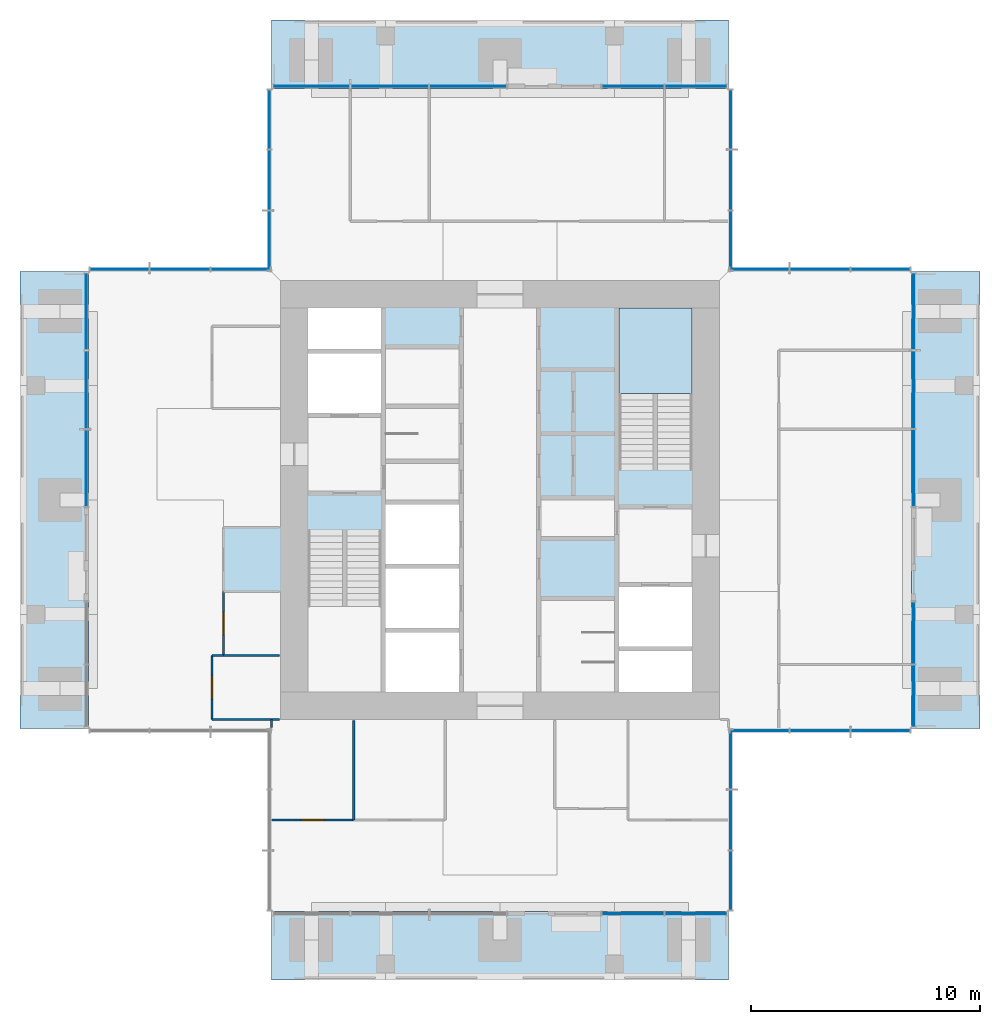
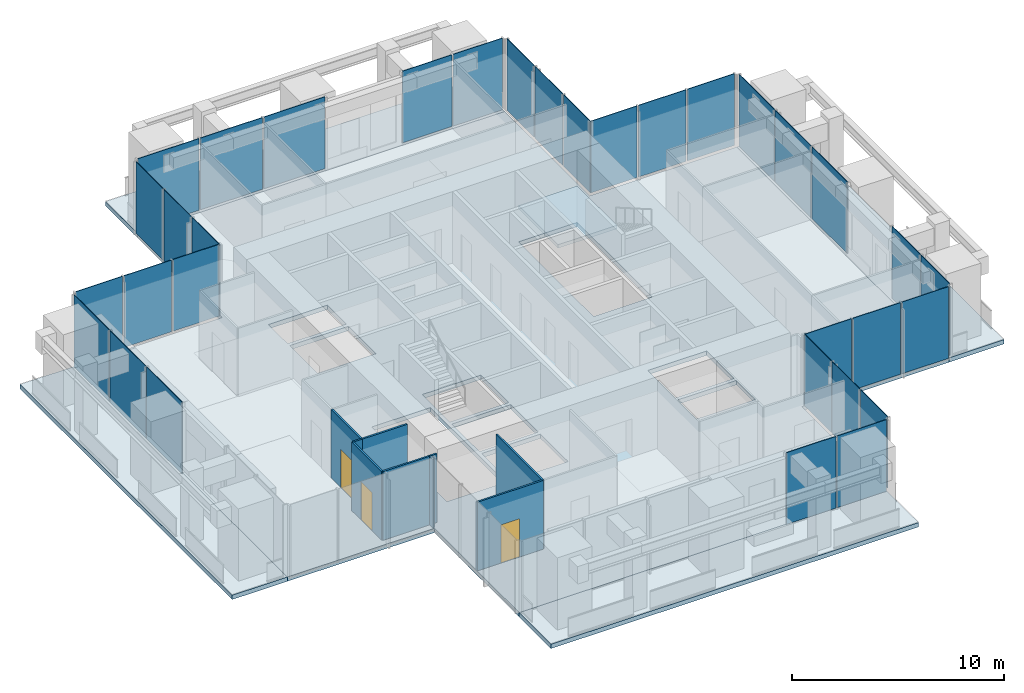
# One storey, part 6 of 12: 33 plates, 9 walls, 6 slabs, 3 doors, 3 openings, 13 elements without a shape of their own.
"""IFC4 building model written with IfcOpenShell, lengths in metres."""

from ifc_helpers import new_model, si_unit, direction, frame, frame_2d, origin, origin_2d, place, context, subcontext, project, spatial, polyline, rectangle, outline, extrude, material, layer, layer_set, type_object, element, fill, aggregate, save


model = new_model("IFC4")

# Units and contexts
model_context = context("Model", 3, precision=1e-05, world=origin(), true_north=direction((0.0, 1.0)))
body_context = subcontext(model_context, "Body", "Model", "MODEL_VIEW")
ifc_project = project(units=[si_unit("LENGTHUNIT", "METRE"), si_unit("AREAUNIT", "SQUARE_METRE"), si_unit("VOLUMEUNIT", "CUBIC_METRE"), si_unit("PLANEANGLEUNIT", "RADIAN"), si_unit("MASSUNIT", "GRAM", prefix="KILO")], contexts=[model_context])

# Site, building, storey
site_placement = place(None, origin())
site = spatial("IfcSite", under=ifc_project, at=site_placement, CompositionType="ELEMENT")
building_placement = place(site_placement, origin())
building = spatial("IfcBuilding", under=site, at=building_placement, Name="Svetlomir Tower", CompositionType="ELEMENT")
storey_placement = place(building_placement, frame((0.0, 0.0, 252.39990234375)))
storey = spatial("IfcBuildingStorey", under=building, at=storey_placement, Name="L60", CompositionType="ELEMENT", Elevation=252.39990234375)

# Curtain wall, plates
ifc_material_1 = material(Name="Bronze anodised aluminium curtain wall", Category="aluminium")
curtain_wall_type = type_object("IfcCurtainWallType", Name="CURTAIN WALL CW4 EXECUTIVE", PredefinedType="NOTDEFINED", material=ifc_material_1)
curtain_wall_1_placement = place(storey_placement, origin())
curtain_wall_1 = element("IfcCurtainWall", 1, at=curtain_wall_1_placement, inside=storey, type_object=curtain_wall_type, Name="Curtain wall CW4 L60", PredefinedType="NOTDEFINED")
ifc_material_2 = material(Name="Tinted double glazed unit", Category="glass")
ifc_layer_1 = layer(ifc_material_2, 0.035888671875)
ifc_layer_set_1 = layer_set([ifc_layer_1], Name="Tinted double glazed unit")
plate_type = type_object("IfcPlateType", Name="CW4 GLAZED PANEL 36", PredefinedType="CURTAIN_PANEL", material=ifc_layer_set_1)
plate_1_placement = place(storey_placement, frame((26.81884765625, 2.89990234375, 0.0751953125), z_axis=(0.0, 0.0, 1.0), x_axis=(1.0, 0.0, 0.0)))
plate_1 = element("IfcPlate", 2, at=plate_1_placement, type_object=plate_type, Name="CW4 panel 1.1", PredefinedType="CURTAIN_PANEL", context=body_context, shape_type="SweptSolid", body=[
    extrude(rectangle(XDim=2.6875, YDim=0.035888671875, at=origin_2d()), origin(), (0.0, 0.0, 1.0), 4.125),
])
plate_2_placement = place(storey_placement, frame((29.581298828125, 2.89990234375, 0.0751953125), z_axis=(0.0, 0.0, 1.0), x_axis=(1.0, 0.0, 0.0)))
plate_2 = element("IfcPlate", 3, at=plate_2_placement, type_object=plate_type, Name="CW4 panel 2.1", PredefinedType="CURTAIN_PANEL", context=body_context, shape_type="SweptSolid", body=[
    extrude(rectangle(XDim=2.6875, YDim=0.035888671875, at=origin_2d()), origin(), (0.0, 0.0, 1.0), 4.125),
])
aggregate(curtain_wall_1, [plate_1, plate_2])

curtain_wall_2_placement = place(storey_placement, origin())
curtain_wall_2 = element("IfcCurtainWall", 4, at=curtain_wall_2_placement, inside=storey, type_object=curtain_wall_type, Name="Curtain wall CW4 L60", PredefinedType="NOTDEFINED")
plate_3_placement = place(storey_placement, frame((31.10009765625, 4.35205078125, 0.0751953125), z_axis=(0.0, 0.0, 1.0), x_axis=(0.0, 1.0, 0.0)))
plate_3 = element("IfcPlate", 5, at=plate_3_placement, type_object=plate_type, Name="CW4 panel 1.1", PredefinedType="CURTAIN_PANEL", context=body_context, shape_type="SweptSolid", body=[
    extrude(rectangle(XDim=2.55419921875, YDim=0.035888671875, at=origin_2d()), origin(), (0.0, 0.0, 1.0), 4.125),
])
plate_4_placement = place(storey_placement, frame((31.10009765625, 7.0, 0.0751953125), z_axis=(0.0, 0.0, 1.0), x_axis=(0.0, 1.0, 0.0)))
plate_4 = element("IfcPlate", 6, at=plate_4_placement, type_object=plate_type, Name="CW4 panel 2.1", PredefinedType="CURTAIN_PANEL", context=body_context, shape_type="SweptSolid", body=[
    extrude(rectangle(XDim=2.591552734375, YDim=0.035888671875, at=origin_2d()), origin(), (0.0, 0.0, 1.0), 4.125),
])
plate_5_placement = place(storey_placement, frame((31.10009765625, 9.64794921875, 0.0751953125), z_axis=(0.0, 0.0, 1.0), x_axis=(0.0, 1.0, 0.0)))
plate_5 = element("IfcPlate", 7, at=plate_5_placement, type_object=plate_type, Name="CW4 panel 3.1", PredefinedType="CURTAIN_PANEL", context=body_context, shape_type="SweptSolid", body=[
    extrude(rectangle(XDim=2.55419921875, YDim=0.035888671875, at=origin_2d()), origin(), (0.0, 0.0, 1.0), 4.125),
])
aggregate(curtain_wall_2, [plate_3, plate_4, plate_5])

curtain_wall_3_placement = place(storey_placement, origin())
curtain_wall_3 = element("IfcCurtainWall", 8, at=curtain_wall_3_placement, inside=storey, type_object=curtain_wall_type, Name="Curtain wall CW4 L60", PredefinedType="NOTDEFINED")
plate_6_placement = place(storey_placement, frame((32.35205078125, 10.89990234375, 0.0751953125), z_axis=(0.0, 0.0, 1.0), x_axis=(1.0, 0.0, 0.0)))
plate_6 = element("IfcPlate", 9, at=plate_6_placement, type_object=plate_type, Name="CW4 panel 1.1", PredefinedType="CURTAIN_PANEL", context=body_context, shape_type="SweptSolid", body=[
    extrude(rectangle(XDim=2.55419921875, YDim=0.035888671875, at=origin_2d()), origin(), (0.0, 0.0, 1.0), 4.125),
])
plate_7_placement = place(storey_placement, frame((35.0, 10.89990234375, 0.0751953125), z_axis=(0.0, 0.0, 1.0), x_axis=(1.0, 0.0, 0.0)))
plate_7 = element("IfcPlate", 10, at=plate_7_placement, type_object=plate_type, Name="CW4 panel 2.1", PredefinedType="CURTAIN_PANEL", context=body_context, shape_type="SweptSolid", body=[
    extrude(rectangle(XDim=2.591552734375, YDim=0.035888671875, at=origin_2d()), origin(), (0.0, 0.0, 1.0), 4.125),
])
plate_8_placement = place(storey_placement, frame((37.64794921875, 10.89990234375, 0.0751953125), z_axis=(0.0, 0.0, 1.0), x_axis=(1.0, 0.0, 0.0)))
plate_8 = element("IfcPlate", 11, at=plate_8_placement, type_object=plate_type, Name="CW4 panel 3.1", PredefinedType="CURTAIN_PANEL", context=body_context, shape_type="SweptSolid", body=[
    extrude(rectangle(XDim=2.55419921875, YDim=0.035888671875, at=origin_2d()), origin(), (0.0, 0.0, 1.0), 4.125),
])
aggregate(curtain_wall_3, [plate_6, plate_7, plate_8])

curtain_wall_4_placement = place(storey_placement, origin())
curtain_wall_4 = element("IfcCurtainWall", 12, at=curtain_wall_4_placement, inside=storey, type_object=curtain_wall_type, Name="Curtain wall CW4 L60", PredefinedType="NOTDEFINED")
plate_9_placement = place(storey_placement, frame((39.10009765625, 12.418701171875, 0.0751953125), z_axis=(0.0, 0.0, 1.0), x_axis=(0.0, 1.0, 0.0)))
plate_9 = element("IfcPlate", 13, at=plate_9_placement, type_object=plate_type, Name="CW4 panel 1.1", PredefinedType="CURTAIN_PANEL", context=body_context, shape_type="SweptSolid", body=[
    extrude(rectangle(XDim=2.6875, YDim=0.035888671875, at=origin_2d()), origin(), (0.0, 0.0, 1.0), 4.125),
])
plate_10_placement = place(storey_placement, frame((39.10009765625, 15.18115234375, 0.0751953125), z_axis=(0.0, 0.0, 1.0), x_axis=(0.0, 1.0, 0.0)))
plate_10 = element("IfcPlate", 14, at=plate_10_placement, type_object=plate_type, Name="CW4 panel 2.1", PredefinedType="CURTAIN_PANEL", context=body_context, shape_type="SweptSolid", body=[
    extrude(rectangle(XDim=2.6875, YDim=0.035888671875, at=origin_2d()), origin(), (0.0, 0.0, 1.0), 4.125),
])
aggregate(curtain_wall_4, [plate_9, plate_10])

curtain_wall_5_placement = place(storey_placement, origin())
curtain_wall_5 = element("IfcCurtainWall", 15, at=curtain_wall_5_placement, inside=storey, type_object=curtain_wall_type, Name="Curtain wall CW4 L60", PredefinedType="NOTDEFINED")
plate_11_placement = place(storey_placement, frame((39.10009765625, 22.393798828125, 0.0751953125), z_axis=(0.0, 0.0, 1.0), x_axis=(0.0, 1.0, 0.0)))
plate_11 = element("IfcPlate", 16, at=plate_11_placement, type_object=plate_type, Name="CW4 panel 1.1", PredefinedType="CURTAIN_PANEL", context=body_context, shape_type="SweptSolid", body=[
    extrude(rectangle(XDim=3.33740234375, YDim=0.035888671875, at=origin_2d()), origin(), (0.0, 0.0, 1.0), 4.125),
])
plate_12_placement = place(storey_placement, frame((39.10009765625, 25.824951171875, 0.0751953125), z_axis=(0.0, 0.0, 1.0), x_axis=(0.0, 1.0, 0.0)))
plate_12 = element("IfcPlate", 17, at=plate_12_placement, type_object=plate_type, Name="CW4 panel 2.1", PredefinedType="CURTAIN_PANEL", context=body_context, shape_type="SweptSolid", body=[
    extrude(rectangle(XDim=3.375, YDim=0.035888671875, at=origin_2d()), origin(), (0.0, 0.0, 1.0), 4.125),
])
plate_13_placement = place(storey_placement, frame((39.10009765625, 29.25634765625, 0.0751953125), z_axis=(0.0, 0.0, 1.0), x_axis=(0.0, 1.0, 0.0)))
plate_13 = element("IfcPlate", 18, at=plate_13_placement, type_object=plate_type, Name="CW4 panel 3.1", PredefinedType="CURTAIN_PANEL", context=body_context, shape_type="SweptSolid", body=[
    extrude(rectangle(XDim=3.33740234375, YDim=0.035888671875, at=origin_2d()), origin(), (0.0, 0.0, 1.0), 4.125),
])
aggregate(curtain_wall_5, [plate_11, plate_12, plate_13])

curtain_wall_6_placement = place(storey_placement, origin())
curtain_wall_6 = element("IfcCurtainWall", 19, at=curtain_wall_6_placement, inside=storey, type_object=curtain_wall_type, Name="Curtain wall CW4 L60", PredefinedType="NOTDEFINED")
plate_14_placement = place(storey_placement, frame((37.64794921875, 31.10009765625, 0.0751953125), z_axis=(0.0, 0.0, 1.0), x_axis=(-1.0, 0.0, 0.0)))
plate_14 = element("IfcPlate", 20, at=plate_14_placement, type_object=plate_type, Name="CW4 panel 1.1", PredefinedType="CURTAIN_PANEL", context=body_context, shape_type="SweptSolid", body=[
    extrude(rectangle(XDim=2.55419921875, YDim=0.035888671875, at=origin_2d()), origin(), (0.0, 0.0, 1.0), 4.125),
])
plate_15_placement = place(storey_placement, frame((35.0, 31.10009765625, 0.0751953125), z_axis=(0.0, 0.0, 1.0), x_axis=(-1.0, 0.0, 0.0)))
plate_15 = element("IfcPlate", 21, at=plate_15_placement, type_object=plate_type, Name="CW4 panel 2.1", PredefinedType="CURTAIN_PANEL", context=body_context, shape_type="SweptSolid", body=[
    extrude(rectangle(XDim=2.591552734375, YDim=0.035888671875, at=origin_2d()), origin(), (0.0, 0.0, 1.0), 4.125),
])
plate_16_placement = place(storey_placement, frame((32.35205078125, 31.10009765625, 0.0751953125), z_axis=(0.0, 0.0, 1.0), x_axis=(-1.0, 0.0, 0.0)))
plate_16 = element("IfcPlate", 22, at=plate_16_placement, type_object=plate_type, Name="CW4 panel 3.1", PredefinedType="CURTAIN_PANEL", context=body_context, shape_type="SweptSolid", body=[
    extrude(rectangle(XDim=2.55419921875, YDim=0.035888671875, at=origin_2d()), origin(), (0.0, 0.0, 1.0), 4.125),
])
aggregate(curtain_wall_6, [plate_14, plate_15, plate_16])

curtain_wall_7_placement = place(storey_placement, origin())
curtain_wall_7 = element("IfcCurtainWall", 23, at=curtain_wall_7_placement, inside=storey, type_object=curtain_wall_type, Name="Curtain wall CW4 L60", PredefinedType="NOTDEFINED")
plate_17_placement = place(storey_placement, frame((31.10009765625, 32.35205078125, 0.0751953125), z_axis=(0.0, 0.0, 1.0), x_axis=(0.0, 1.0, 0.0)))
plate_17 = element("IfcPlate", 24, at=plate_17_placement, type_object=plate_type, Name="CW4 panel 1.1", PredefinedType="CURTAIN_PANEL", context=body_context, shape_type="SweptSolid", body=[
    extrude(rectangle(XDim=2.55419921875, YDim=0.035888671875, at=origin_2d()), origin(), (0.0, 0.0, 1.0), 4.125),
])
plate_18_placement = place(storey_placement, frame((31.10009765625, 35.0, 0.0751953125), z_axis=(0.0, 0.0, 1.0), x_axis=(0.0, 1.0, 0.0)))
plate_18 = element("IfcPlate", 25, at=plate_18_placement, type_object=plate_type, Name="CW4 panel 2.1", PredefinedType="CURTAIN_PANEL", context=body_context, shape_type="SweptSolid", body=[
    extrude(rectangle(XDim=2.591552734375, YDim=0.035888671875, at=origin_2d()), origin(), (0.0, 0.0, 1.0), 4.125),
])
plate_19_placement = place(storey_placement, frame((31.10009765625, 37.64794921875, 0.0751953125), z_axis=(0.0, 0.0, 1.0), x_axis=(0.0, 1.0, 0.0)))
plate_19 = element("IfcPlate", 26, at=plate_19_placement, type_object=plate_type, Name="CW4 panel 3.1", PredefinedType="CURTAIN_PANEL", context=body_context, shape_type="SweptSolid", body=[
    extrude(rectangle(XDim=2.55419921875, YDim=0.035888671875, at=origin_2d()), origin(), (0.0, 0.0, 1.0), 4.125),
])
aggregate(curtain_wall_7, [plate_17, plate_18, plate_19])

curtain_wall_8_placement = place(storey_placement, origin())
curtain_wall_8 = element("IfcCurtainWall", 27, at=curtain_wall_8_placement, inside=storey, type_object=curtain_wall_type, Name="Curtain wall CW4 L60", PredefinedType="NOTDEFINED")
plate_20_placement = place(storey_placement, frame((29.581298828125, 39.10009765625, 0.0751953125), z_axis=(0.0, 0.0, 1.0), x_axis=(-1.0, 0.0, 0.0)))
plate_20 = element("IfcPlate", 28, at=plate_20_placement, type_object=plate_type, Name="CW4 panel 1.1", PredefinedType="CURTAIN_PANEL", context=body_context, shape_type="SweptSolid", body=[
    extrude(rectangle(XDim=2.6875, YDim=0.035888671875, at=origin_2d()), origin(), (0.0, 0.0, 1.0), 4.125),
])
plate_21_placement = place(storey_placement, frame((26.81884765625, 39.10009765625, 0.0751953125), z_axis=(0.0, 0.0, 1.0), x_axis=(-1.0, 0.0, 0.0)))
plate_21 = element("IfcPlate", 29, at=plate_21_placement, type_object=plate_type, Name="CW4 panel 2.1", PredefinedType="CURTAIN_PANEL", context=body_context, shape_type="SweptSolid", body=[
    extrude(rectangle(XDim=2.6875, YDim=0.035888671875, at=origin_2d()), origin(), (0.0, 0.0, 1.0), 4.125),
])
aggregate(curtain_wall_8, [plate_20, plate_21])

curtain_wall_9_placement = place(storey_placement, origin())
curtain_wall_9 = element("IfcCurtainWall", 30, at=curtain_wall_9_placement, inside=storey, type_object=curtain_wall_type, Name="Curtain wall CW4 L60", PredefinedType="NOTDEFINED")
plate_22_placement = place(storey_placement, frame((19.606201171875, 39.10009765625, 0.0751953125), z_axis=(0.0, 0.0, 1.0), x_axis=(-1.0, 0.0, 0.0)))
plate_22 = element("IfcPlate", 31, at=plate_22_placement, type_object=plate_type, Name="CW4 panel 1.1", PredefinedType="CURTAIN_PANEL", context=body_context, shape_type="SweptSolid", body=[
    extrude(rectangle(XDim=3.33740234375, YDim=0.035888671875, at=origin_2d()), origin(), (0.0, 0.0, 1.0), 4.125),
])
plate_23_placement = place(storey_placement, frame((16.175048828125, 39.10009765625, 0.0751953125), z_axis=(0.0, 0.0, 1.0), x_axis=(-1.0, 0.0, 0.0)))
plate_23 = element("IfcPlate", 32, at=plate_23_placement, type_object=plate_type, Name="CW4 panel 2.1", PredefinedType="CURTAIN_PANEL", context=body_context, shape_type="SweptSolid", body=[
    extrude(rectangle(XDim=3.375, YDim=0.035888671875, at=origin_2d()), origin(), (0.0, 0.0, 1.0), 4.125),
])
plate_24_placement = place(storey_placement, frame((12.74365234375, 39.10009765625, 0.0751953125), z_axis=(0.0, 0.0, 1.0), x_axis=(-1.0, 0.0, 0.0)))
plate_24 = element("IfcPlate", 33, at=plate_24_placement, type_object=plate_type, Name="CW4 panel 3.1", PredefinedType="CURTAIN_PANEL", context=body_context, shape_type="SweptSolid", body=[
    extrude(rectangle(XDim=3.33740234375, YDim=0.035888671875, at=origin_2d()), origin(), (0.0, 0.0, 1.0), 4.125),
])
aggregate(curtain_wall_9, [plate_22, plate_23, plate_24])

curtain_wall_10_placement = place(storey_placement, origin())
curtain_wall_10 = element("IfcCurtainWall", 34, at=curtain_wall_10_placement, inside=storey, type_object=curtain_wall_type, Name="Curtain wall CW4 L60", PredefinedType="NOTDEFINED")
plate_25_placement = place(storey_placement, frame((10.89990234375, 37.64794921875, 0.0751953125), z_axis=(0.0, 0.0, 1.0), x_axis=(0.0, -1.0, 0.0)))
plate_25 = element("IfcPlate", 35, at=plate_25_placement, type_object=plate_type, Name="CW4 panel 1.1", PredefinedType="CURTAIN_PANEL", context=body_context, shape_type="SweptSolid", body=[
    extrude(rectangle(XDim=2.55419921875, YDim=0.035888671875, at=origin_2d()), origin(), (0.0, 0.0, 1.0), 4.125),
])
plate_26_placement = place(storey_placement, frame((10.89990234375, 35.0, 0.0751953125), z_axis=(0.0, 0.0, 1.0), x_axis=(0.0, -1.0, 0.0)))
plate_26 = element("IfcPlate", 36, at=plate_26_placement, type_object=plate_type, Name="CW4 panel 2.1", PredefinedType="CURTAIN_PANEL", context=body_context, shape_type="SweptSolid", body=[
    extrude(rectangle(XDim=2.591552734375, YDim=0.035888671875, at=origin_2d()), origin(), (0.0, 0.0, 1.0), 4.125),
])
plate_27_placement = place(storey_placement, frame((10.89990234375, 32.35205078125, 0.0751953125), z_axis=(0.0, 0.0, 1.0), x_axis=(0.0, -1.0, 0.0)))
plate_27 = element("IfcPlate", 37, at=plate_27_placement, type_object=plate_type, Name="CW4 panel 3.1", PredefinedType="CURTAIN_PANEL", context=body_context, shape_type="SweptSolid", body=[
    extrude(rectangle(XDim=2.55419921875, YDim=0.035888671875, at=origin_2d()), origin(), (0.0, 0.0, 1.0), 4.125),
])
aggregate(curtain_wall_10, [plate_25, plate_26, plate_27])

curtain_wall_11_placement = place(storey_placement, origin())
curtain_wall_11 = element("IfcCurtainWall", 38, at=curtain_wall_11_placement, inside=storey, type_object=curtain_wall_type, Name="Curtain wall CW4 L60", PredefinedType="NOTDEFINED")
plate_28_placement = place(storey_placement, frame((9.64794921875, 31.10009765625, 0.0751953125), z_axis=(0.0, 0.0, 1.0), x_axis=(-1.0, 0.0, 0.0)))
plate_28 = element("IfcPlate", 39, at=plate_28_placement, type_object=plate_type, Name="CW4 panel 1.1", PredefinedType="CURTAIN_PANEL", context=body_context, shape_type="SweptSolid", body=[
    extrude(rectangle(XDim=2.55419921875, YDim=0.035888671875, at=origin_2d()), origin(), (0.0, 0.0, 1.0), 4.125),
])
plate_29_placement = place(storey_placement, frame((7.0, 31.10009765625, 0.0751953125), z_axis=(0.0, 0.0, 1.0), x_axis=(-1.0, 0.0, 0.0)))
plate_29 = element("IfcPlate", 40, at=plate_29_placement, type_object=plate_type, Name="CW4 panel 2.1", PredefinedType="CURTAIN_PANEL", context=body_context, shape_type="SweptSolid", body=[
    extrude(rectangle(XDim=2.591552734375, YDim=0.035888671875, at=origin_2d()), origin(), (0.0, 0.0, 1.0), 4.125),
])
plate_30_placement = place(storey_placement, frame((4.35205078125, 31.10009765625, 0.0751953125), z_axis=(0.0, 0.0, 1.0), x_axis=(-1.0, 0.0, 0.0)))
plate_30 = element("IfcPlate", 41, at=plate_30_placement, type_object=plate_type, Name="CW4 panel 3.1", PredefinedType="CURTAIN_PANEL", context=body_context, shape_type="SweptSolid", body=[
    extrude(rectangle(XDim=2.55419921875, YDim=0.035888671875, at=origin_2d()), origin(), (0.0, 0.0, 1.0), 4.125),
])
aggregate(curtain_wall_11, [plate_28, plate_29, plate_30])

curtain_wall_12_placement = place(storey_placement, origin())
curtain_wall_12 = element("IfcCurtainWall", 42, at=curtain_wall_12_placement, inside=storey, type_object=curtain_wall_type, Name="Curtain wall CW4 L60", PredefinedType="NOTDEFINED")
plate_31_placement = place(storey_placement, frame((2.89990234375, 29.25634765625, 0.0751953125), z_axis=(0.0, 0.0, 1.0), x_axis=(0.0, -1.0, 0.0)))
plate_31 = element("IfcPlate", 43, at=plate_31_placement, type_object=plate_type, Name="CW4 panel 1.1", PredefinedType="CURTAIN_PANEL", context=body_context, shape_type="SweptSolid", body=[
    extrude(rectangle(XDim=3.33740234375, YDim=0.035888671875, at=origin_2d()), origin(), (0.0, 0.0, 1.0), 4.125),
])
plate_32_placement = place(storey_placement, frame((2.89990234375, 25.824951171875, 0.0751953125), z_axis=(0.0, 0.0, 1.0), x_axis=(0.0, -1.0, 0.0)))
plate_32 = element("IfcPlate", 44, at=plate_32_placement, type_object=plate_type, Name="CW4 panel 2.1", PredefinedType="CURTAIN_PANEL", context=body_context, shape_type="SweptSolid", body=[
    extrude(rectangle(XDim=3.375, YDim=0.035888671875, at=origin_2d()), origin(), (0.0, 0.0, 1.0), 4.125),
])
plate_33_placement = place(storey_placement, frame((2.89990234375, 22.393798828125, 0.0751953125), z_axis=(0.0, 0.0, 1.0), x_axis=(0.0, -1.0, 0.0)))
plate_33 = element("IfcPlate", 45, at=plate_33_placement, type_object=plate_type, Name="CW4 panel 3.1", PredefinedType="CURTAIN_PANEL", context=body_context, shape_type="SweptSolid", body=[
    extrude(rectangle(XDim=3.33740234375, YDim=0.035888671875, at=origin_2d()), origin(), (0.0, 0.0, 1.0), 4.125),
])
aggregate(curtain_wall_12, [plate_31, plate_32, plate_33])

# Slabs
ifc_material_3 = material(Name="Concrete C60/75", Category="concrete")
ifc_layer_2 = layer(ifc_material_3, 0.25)
ifc_layer_set_2 = layer_set([ifc_layer_2], Name="Concrete C60/75")
slab_type_1 = type_object("IfcSlabType", Name="FLOOR SLAB 250", PredefinedType="FLOOR", material=ifc_layer_set_2)
slab_1_placement = place(storey_placement, frame((0.0, 0.0, -0.25)))
element("IfcSlab", 46, at=slab_1_placement, inside=storey, type_object=slab_type_1, Name="L60 floor slab", PredefinedType="FLOOR", context=body_context, shape_type="SweptSolid", body=[
    extrude(outline(polyline([(11.0, 3.0), (31.0, 3.0), (31.0, 11.0), (39.0, 11.0), (39.0, 31.0), (31.0, 31.0), (31.0, 39.0), (11.0, 39.0), (11.0, 31.0), (3.0, 31.0), (3.0, 11.0), (11.0, 11.0), (11.0, 3.0)]), holes=[polyline([(12.60009765625, 24.800048828125), (15.800048828125, 24.800048828125), (15.800048828125, 27.39990234375), (12.60009765625, 27.39990234375), (12.60009765625, 24.800048828125)]), polyline([(26.199951171875, 14.60009765625), (29.39990234375, 14.60009765625), (29.39990234375, 17.199951171875), (26.199951171875, 17.199951171875), (26.199951171875, 14.60009765625)]), polyline([(16.0, 12.60009765625), (19.199951171875, 12.60009765625), (19.199951171875, 15.199951171875), (16.0, 15.199951171875), (16.0, 12.60009765625)]), polyline([(16.0, 15.39990234375), (19.199951171875, 15.39990234375), (19.199951171875, 18.0), (16.0, 18.0), (16.0, 15.39990234375)]), polyline([(16.0, 18.199951171875), (19.199951171875, 18.199951171875), (19.199951171875, 20.800048828125), (16.0, 20.800048828125), (16.0, 18.199951171875)]), polyline([(12.60009765625, 27.60009765625), (15.800048828125, 27.60009765625), (15.800048828125, 29.39990234375), (12.60009765625, 29.39990234375), (12.60009765625, 27.60009765625)]), polyline([(26.199951171875, 12.60009765625), (29.39990234375, 12.60009765625), (29.39990234375, 14.39990234375), (26.199951171875, 14.39990234375), (26.199951171875, 12.60009765625)]), polyline([(12.60009765625, 12.60009765625), (15.800048828125, 12.60009765625), (15.800048828125, 19.679931640625), (12.60009765625, 19.679931640625), (12.60009765625, 12.60009765625)]), polyline([(26.199951171875, 22.320068359375), (29.39990234375, 22.320068359375), (29.39990234375, 29.39990234375), (26.199951171875, 29.39990234375), (26.199951171875, 22.320068359375)])]), origin(), (0.0, 0.0, 1.0), 0.25),
])
ifc_material_4 = material(Name="Concrete C60/75", Category="concrete")
ifc_layer_3 = layer(ifc_material_4, 0.25)
ifc_layer_set_3 = layer_set([ifc_layer_3], Name="Concrete C60/75")
slab_type_2 = type_object("IfcSlabType", Name="PLANTED LOGGIA SLAB 250", PredefinedType="FLOOR", material=ifc_layer_set_3)
slab_2_placement = place(storey_placement, frame((0.0, 0.0, -0.25)))
element("IfcSlab", 47, at=slab_2_placement, inside=storey, type_object=slab_type_2, Name="L60 S planted loggia", PredefinedType="FLOOR", context=body_context, shape_type="SweptSolid", body=[
    extrude(outline(polyline([(11.0, 0.0), (31.0, 0.0), (31.0, 3.0), (11.0, 3.0), (11.0, 0.0)])), origin(), (0.0, 0.0, 1.0), 0.25),
])
slab_3_placement = place(storey_placement, frame((0.0, 0.0, -0.25)))
element("IfcSlab", 48, at=slab_3_placement, inside=storey, type_object=slab_type_2, Name="L60 E planted loggia", PredefinedType="FLOOR", context=body_context, shape_type="SweptSolid", body=[
    extrude(outline(polyline([(39.0, 11.0), (42.0, 11.0), (42.0, 31.0), (39.0, 31.0), (39.0, 11.0)])), origin(), (0.0, 0.0, 1.0), 0.25),
])
slab_4_placement = place(storey_placement, frame((0.0, 0.0, -0.25)))
element("IfcSlab", 49, at=slab_4_placement, inside=storey, type_object=slab_type_2, Name="L60 N planted loggia", PredefinedType="FLOOR", context=body_context, shape_type="SweptSolid", body=[
    extrude(outline(polyline([(11.0, 39.0), (31.0, 39.0), (31.0, 42.0), (11.0, 42.0), (11.0, 39.0)])), origin(), (0.0, 0.0, 1.0), 0.25),
])
slab_5_placement = place(storey_placement, frame((0.0, 0.0, -0.25)))
element("IfcSlab", 50, at=slab_5_placement, inside=storey, type_object=slab_type_2, Name="L60 W planted loggia", PredefinedType="FLOOR", context=body_context, shape_type="SweptSolid", body=[
    extrude(outline(polyline([(0.0, 11.0), (3.0, 11.0), (3.0, 31.0), (0.0, 31.0), (0.0, 11.0)])), origin(), (0.0, 0.0, 1.0), 0.25),
])

# Stair, slab
ifc_material_5 = material(Name="Concrete C60/75", Category="concrete")
stair_type = type_object("IfcStairType", Name="EXIT STAIR 3200 RISE 4200", PredefinedType="HALF_TURN_STAIR", material=ifc_material_5)
stair_placement = place(storey_placement, origin())
stair = element("IfcStair", 51, at=stair_placement, inside=storey, type_object=stair_type, Name="Stair S2 L60 to L61", PredefinedType="HALF_TURN_STAIR")
ifc_material_6 = material(Name="Concrete C60/75", Category="concrete")
ifc_layer_4 = layer(ifc_material_6, 0.199951171875)
ifc_layer_set_4 = layer_set([ifc_layer_4], Name="Concrete C60/75")
slab_type_3 = type_object("IfcSlabType", Name="STAIR LANDING 200", PredefinedType="LANDING", material=ifc_layer_set_4)
slab_6_placement = place(storey_placement, frame((0.0, 0.0, 1.900146484375)))
slab_6 = element("IfcSlab", 52, at=slab_6_placement, type_object=slab_type_3, Name="S2 landing 1", PredefinedType="LANDING", context=body_context, shape_type="SweptSolid", body=[
    extrude(outline(polyline([(26.199951171875, 25.659912109375), (29.39990234375, 25.659912109375), (29.39990234375, 29.39990234375), (26.199951171875, 29.39990234375), (26.199951171875, 25.659912109375)])), origin(), (0.0, 0.0, 1.0), 0.199951171875),
])
aggregate(stair, [slab_6])

# Wall, opening, door
ifc_material_7 = material(Name="Framed laminated glass partition", Category="glass")
ifc_layer_5 = layer(ifc_material_7, 0.10009765625)
ifc_layer_set_5 = layer_set([ifc_layer_5], Name="Framed laminated glass partition")
wall_type = type_object("IfcWallType", Name="GLAZED PARTITION 100", PredefinedType="PARTITIONING", material=ifc_layer_set_5)
wall_1_placement = place(storey_placement, frame((8.39990234375, 11.39990234375, 0.0), z_axis=(0.0, 0.0, 1.0), x_axis=(0.0, 1.0, 0.0)))
wall_1 = element("IfcWall", 53, at=wall_1_placement, inside=storey, type_object=wall_type, Name="Glazed partition L60", PredefinedType="PARTITIONING", context=body_context, shape_type="SweptSolid", body=[
    extrude(rectangle(XDim=2.800048828125, YDim=0.10009765625, at=frame_2d((1.39990234375, 0.0))), origin(), (0.0, 0.0, 1.0), 3.9501953125),
])
opening_1_placement = place(wall_1_placement, frame((0.89990234375, 0.0, 0.0)))
opening_1 = element("IfcOpeningElement", 54, at=opening_1_placement, cuts=wall_1, Name="Opening DR", PredefinedType="OPENING", context=body_context, shape_type="SweptSolid", body=[
    extrude(rectangle(XDim=1.0, YDim=2.199951171875, at=frame_2d((0.5, 1.10009765625))), frame((0.0, 0.06005859375, 0.0), z_axis=(0.0, -1.0, 0.0), x_axis=(1.0, 0.0, 0.0)), (0.0, 0.0, 1.0), 0.1201171875),
])
ifc_material_8 = material(Name="Timber door, glazed side light", Category="wood")
door_type = type_object("IfcDoorType", Name="DOOR DR 1000x2200", OperationType="SINGLE_SWING_LEFT", PredefinedType="DOOR", material=ifc_material_8)
door_1_placement = place(opening_1_placement, origin())
door_1 = element("IfcDoor", 55, at=door_1_placement, inside=storey, type_object=door_type, Name="Focus room door L60", OperationType="SINGLE_SWING_LEFT", OverallHeight=2.199951171875, OverallWidth=1.0, PredefinedType="DOOR", context=body_context, shape_type="SweptSolid", body=[
    extrude(rectangle(XDim=1.0, YDim=2.199951171875, at=frame_2d((0.5, 1.10009765625))), frame((0.0, 0.02490234375, 0.0), z_axis=(0.0, -1.0, 0.0), x_axis=(1.0, 0.0, 0.0)), (0.0, 0.0, 1.0), 0.050048828125),
])
fill(opening_1, door_1)

# Walls
wall_2_placement = place(storey_placement, frame((8.39990234375, 11.39990234375, 0.0), z_axis=(0.0, 0.0, 1.0), x_axis=(1.0, 0.0, 0.0)))
element("IfcWall", 56, at=wall_2_placement, inside=storey, type_object=wall_type, Name="Glazed partition L60", PredefinedType="PARTITIONING", context=body_context, shape_type="SweptSolid", body=[
    extrude(rectangle(XDim=2.60009765625, YDim=0.10009765625, at=frame_2d((1.300048828125, 0.0))), origin(), (0.0, 0.0, 1.0), 3.9501953125),
])
wall_3_placement = place(storey_placement, frame((8.39990234375, 14.199951171875, 0.0), z_axis=(0.0, 0.0, 1.0), x_axis=(1.0, 0.0, 0.0)))
element("IfcWall", 57, at=wall_3_placement, inside=storey, type_object=wall_type, Name="Glazed partition L60", PredefinedType="PARTITIONING", context=body_context, shape_type="SweptSolid", body=[
    extrude(rectangle(XDim=0.5, YDim=0.10009765625, at=frame_2d((0.25, 0.0))), origin(), (0.0, 0.0, 1.0), 3.9501953125),
])

# Wall, opening, door
wall_4_placement = place(storey_placement, frame((8.89990234375, 14.199951171875, 0.0), z_axis=(0.0, 0.0, 1.0), x_axis=(0.0, 1.0, 0.0)))
wall_4 = element("IfcWall", 58, at=wall_4_placement, inside=storey, type_object=wall_type, Name="Partition L60", PredefinedType="PARTITIONING", context=body_context, shape_type="SweptSolid", body=[
    extrude(rectangle(XDim=2.800048828125, YDim=0.10009765625, at=frame_2d((1.39990234375, 0.0))), origin(), (0.0, 0.0, 1.0), 3.9501953125),
])
opening_2_placement = place(wall_4_placement, frame((0.89990234375, 0.0, 0.0)))
opening_2 = element("IfcOpeningElement", 59, at=opening_2_placement, cuts=wall_4, Name="Opening DR", PredefinedType="OPENING", context=body_context, shape_type="SweptSolid", body=[
    extrude(rectangle(XDim=1.0, YDim=2.199951171875, at=frame_2d((0.5, 1.10009765625))), frame((0.0, 0.06005859375, 0.0), z_axis=(0.0, -1.0, 0.0), x_axis=(1.0, 0.0, 0.0)), (0.0, 0.0, 1.0), 0.1201171875),
])
door_2_placement = place(opening_2_placement, origin())
door_2 = element("IfcDoor", 60, at=door_2_placement, inside=storey, type_object=door_type, Name="Print and copy room door L60", OperationType="SINGLE_SWING_RIGHT", OverallHeight=2.199951171875, OverallWidth=1.0, PredefinedType="DOOR", context=body_context, shape_type="SweptSolid", body=[
    extrude(rectangle(XDim=1.0, YDim=2.199951171875, at=frame_2d((0.5, 1.10009765625))), frame((0.0, 0.02490234375, 0.0), z_axis=(0.0, -1.0, 0.0), x_axis=(1.0, 0.0, 0.0)), (0.0, 0.0, 1.0), 0.050048828125),
])
fill(opening_2, door_2)

# Wall
wall_5_placement = place(storey_placement, frame((8.89990234375, 14.199951171875, 0.0), z_axis=(0.0, 0.0, 1.0), x_axis=(1.0, 0.0, 0.0)))
element("IfcWall", 61, at=wall_5_placement, inside=storey, type_object=wall_type, Name="Partition L60", PredefinedType="PARTITIONING", context=body_context, shape_type="SweptSolid", body=[
    extrude(rectangle(XDim=2.4501953125, YDim=0.10009765625, at=frame_2d((1.22509765625, 0.0))), origin(), (0.0, 0.0, 1.0), 3.9501953125),
])

# Wall, opening, door
wall_6_placement = place(storey_placement, frame((11.0, 7.0, 0.0), z_axis=(0.0, 0.0, 1.0), x_axis=(1.0, 0.0, 0.0)))
wall_6 = element("IfcWall", 62, at=wall_6_placement, inside=storey, type_object=wall_type, Name="Partition L60", PredefinedType="PARTITIONING", context=body_context, shape_type="SweptSolid", body=[
    extrude(rectangle(XDim=3.60009765625, YDim=0.10009765625, at=frame_2d((1.800048828125, 0.0))), origin(), (0.0, 0.0, 1.0), 3.9501953125),
])
opening_3_placement = place(wall_6_placement, frame((1.300048828125, 0.0, 0.0)))
opening_3 = element("IfcOpeningElement", 63, at=opening_3_placement, cuts=wall_6, Name="Opening DR", PredefinedType="OPENING", context=body_context, shape_type="SweptSolid", body=[
    extrude(rectangle(XDim=1.0, YDim=2.199951171875, at=frame_2d((0.5, 1.10009765625))), frame((0.0, 0.06005859375, 0.0), z_axis=(0.0, -1.0, 0.0), x_axis=(1.0, 0.0, 0.0)), (0.0, 0.0, 1.0), 0.1201171875),
])
door_3_placement = place(opening_3_placement, origin())
door_3 = element("IfcDoor", 64, at=door_3_placement, inside=storey, type_object=door_type, Name="PA office 1 door L60", OperationType="SINGLE_SWING_RIGHT", OverallHeight=2.199951171875, OverallWidth=1.0, PredefinedType="DOOR", context=body_context, shape_type="SweptSolid", body=[
    extrude(rectangle(XDim=1.0, YDim=2.199951171875, at=frame_2d((0.5, 1.10009765625))), frame((0.0, 0.02490234375, 0.0), z_axis=(0.0, -1.0, 0.0), x_axis=(1.0, 0.0, 0.0)), (0.0, 0.0, 1.0), 0.050048828125),
])
fill(opening_3, door_3)

# Walls
wall_7_placement = place(storey_placement, frame((11.0, 11.050048828125, 0.0), z_axis=(0.0, 0.0, 1.0), x_axis=(0.0, 1.0, 0.0)))
element("IfcWall", 65, at=wall_7_placement, inside=storey, type_object=wall_type, Name="Partition L60", PredefinedType="PARTITIONING", context=body_context, shape_type="SweptSolid", body=[
    extrude(rectangle(XDim=0.349853515625, YDim=0.10009765625, at=frame_2d((0.1748046875, 0.0))), origin(), (0.0, 0.0, 1.0), 3.9501953125),
])
wall_8_placement = place(storey_placement, frame((11.0, 11.39990234375, 0.0), z_axis=(0.0, 0.0, 1.0), x_axis=(1.0, 0.0, 0.0)))
element("IfcWall", 66, at=wall_8_placement, inside=storey, type_object=wall_type, Name="Partition L60", PredefinedType="PARTITIONING", context=body_context, shape_type="SweptSolid", body=[
    extrude(rectangle(XDim=0.35009765625, YDim=0.10009765625, at=frame_2d((0.175048828125, 0.0))), origin(), (0.0, 0.0, 1.0), 3.9501953125),
])
wall_9_placement = place(storey_placement, frame((14.60009765625, 7.0, 0.0), z_axis=(0.0, 0.0, 1.0), x_axis=(0.0, 1.0, 0.0)))
element("IfcWall", 67, at=wall_9_placement, inside=storey, type_object=wall_type, Name="Partition L60", PredefinedType="PARTITIONING", context=body_context, shape_type="SweptSolid", body=[
    extrude(rectangle(XDim=4.35009765625, YDim=0.10009765625, at=frame_2d((2.175048828125, 0.0))), origin(), (0.0, 0.0, 1.0), 3.9501953125),
])

save(model, "model.ifc")
